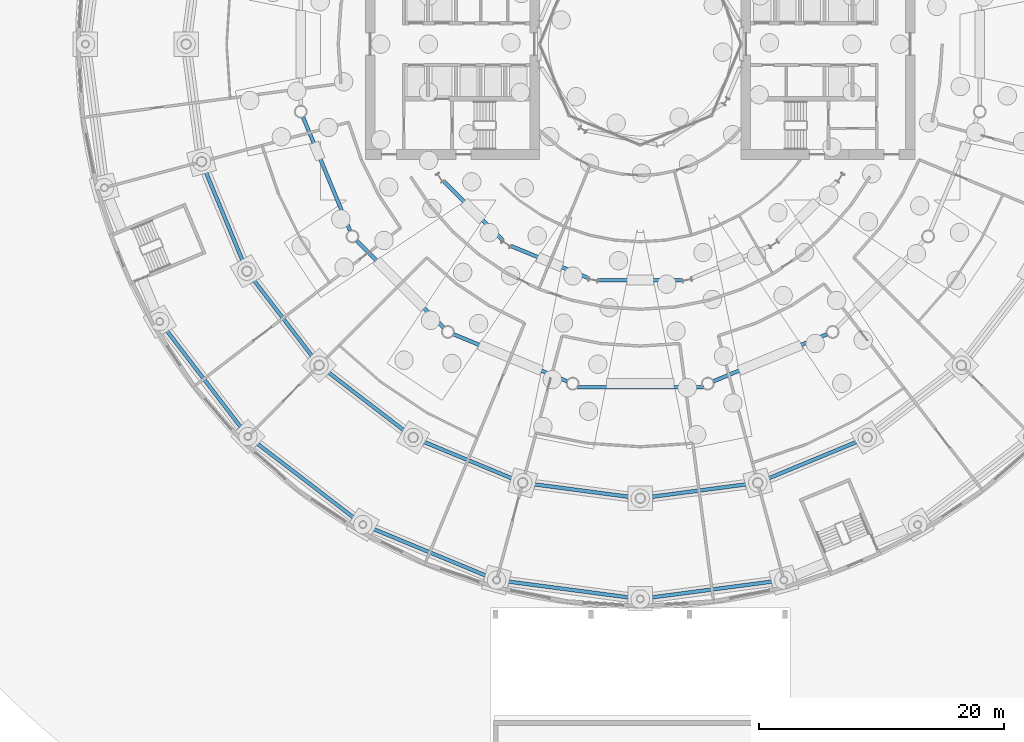
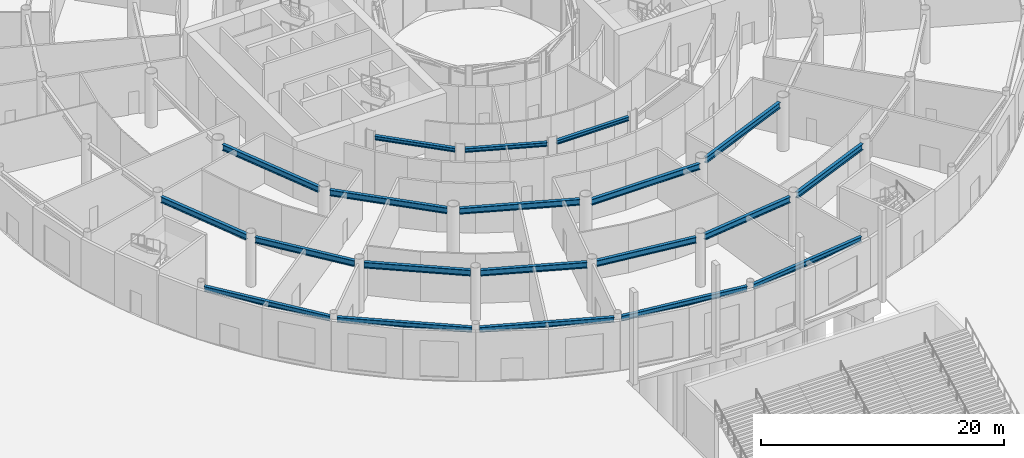
# One storey, part 11 of 41: 20 beams.
"""IFC4 building model written with IfcOpenShell, lengths in metres."""

from ifc_helpers import new_model, si_unit, direction, frame, origin, origin_2d, place, context, subcontext, project, spatial, i_section, extrude, material, material_profile, profile_set, type_object, element, save


model = new_model("IFC4")

# Units and contexts
model_context = context("Model", 3, precision=1e-05, world=origin(), true_north=direction((0.0, 1.0)))
body_context = subcontext(model_context, "Body", "Model", "MODEL_VIEW")
ifc_project = project(units=[si_unit("LENGTHUNIT", "METRE"), si_unit("AREAUNIT", "SQUARE_METRE"), si_unit("VOLUMEUNIT", "CUBIC_METRE"), si_unit("PLANEANGLEUNIT", "RADIAN"), si_unit("MASSUNIT", "GRAM", prefix="KILO")], contexts=[model_context])

# Site, building, storey
site_placement = place(None, origin())
site = spatial("IfcSite", under=ifc_project, at=site_placement, CompositionType="ELEMENT")
building_placement = place(site_placement, origin())
building = spatial("IfcBuilding", under=site, at=building_placement, Name="Maasbend Ring Residences", CompositionType="ELEMENT")
storey_placement = place(building_placement, origin())
storey = spatial("IfcBuildingStorey", under=building, at=storey_placement, Name="L00", CompositionType="ELEMENT", Elevation=0.0)

# Beams
ifc_material_1 = material(Name="Steel S355J2", Category="steel")
ifc_material_profile_1 = material_profile(ifc_material_1, i_section(OverallWidth=0.300048828125, OverallDepth=0.39990234375, WebThickness=0.013427734375, FlangeThickness=0.02392578125, FilletRadius=0.027099609375, at=origin_2d()), Name="HEB 400")
ifc_profile_set_1 = profile_set([ifc_material_profile_1], Name="Steel S355J2")
beam_type_1 = type_object("IfcBeamType", Name="Corridor ring beam HEB 400", PredefinedType="BEAM", material=ifc_profile_set_1)
for number, where, z_axis, x_axis, name in (
    (1, (-16.00341796875, -11.1826171875, 4.75), (0.707106781187, -0.707106781187, 0.0), (0.707106781187, 0.707106781187, 0.0), "Corridor ring beam"),
    (2, (-10.505859375, -16.45556640625, 4.75), (0.92387061516, -0.382704960046, 0.0), (0.382704960046, 0.92387061516, 0.0), "Corridor ring beam"),
):
    element("IfcBeam", number, at=place(storey_placement, frame(where, z_axis=z_axis, x_axis=x_axis)), inside=storey, type_object=beam_type_1, Name=name, PredefinedType="BEAM", context=body_context, shape_type="SweptSolid", body=[
        extrude(i_section(OverallWidth=0.300048828125, OverallDepth=0.39990234375, WebThickness=0.013427734375, FlangeThickness=0.02392578125, FilletRadius=0.027099609375, at=origin_2d()), origin(), (0.0, 0.0, 1.0), 6.817626953125),
    ])
beam_1_placement = place(storey_placement, frame((-3.40869140625, -19.223388671875, 4.75), z_axis=(1.0, 0.0, 0.0), x_axis=(0.0, 1.0, 0.0)))
element("IfcBeam", 3, at=beam_1_placement, inside=storey, type_object=beam_type_1, Name="Corridor ring beam", PredefinedType="BEAM", context=body_context, shape_type="SweptSolid", body=[
    extrude(i_section(OverallWidth=0.300048828125, OverallDepth=0.39990234375, WebThickness=0.013427734375, FlangeThickness=0.02392578125, FilletRadius=0.027099609375, at=origin_2d()), origin(), (0.0, 0.0, 1.0), 6.8173828125),
])
ifc_material_2 = material(Name="Steel S355J2", Category="steel")
ifc_material_profile_2 = material_profile(ifc_material_2, i_section(OverallWidth=0.300048828125, OverallDepth=0.5, WebThickness=0.014404296875, FlangeThickness=0.028076171875, FilletRadius=0.027099609375, at=origin_2d()), Name="HEB 500")
ifc_profile_set_2 = profile_set([ifc_material_profile_2], Name="Steel S355J2")
beam_type_2 = type_object("IfcBeamType", Name="Podium ring beam HEB 500", PredefinedType="BEAM", material=ifc_profile_set_2)
for number, where, z_axis, x_axis, name in (
    (4, (-38.95849609375, -22.842041015625, 4.699951171875), (0.608750763691, -0.793361523963, 0.0), (0.793361523963, 0.608750763691, 0.0), "Podium ring beam"),
    (5, (-31.71923828125, -32.14697265625, 4.699951171875), (0.793361523963, -0.608750763691, 0.0), (0.608750763691, 0.793361523963, 0.0), "Podium ring beam"),
    (6, (-22.318115234375, -39.260986328125, 4.699951171875), (0.923872164384, -0.382701220114, 0.0), (0.382701220114, 0.923872164384, 0.0), "Podium ring beam"),
    (7, (-11.396240234375, -43.69970703125, 4.699951171875), (0.991445678747, -0.130519983501, 0.0), (0.130519983501, 0.991445678747, 0.0), "Podium ring beam"),
    (8, (0.302490234375, -45.16015625, 4.699951171875), (0.991445678747, 0.130519983501, 0.0), (-0.130519983501, 0.991445678747, 0.0), "Podium ring beam"),
):
    element("IfcBeam", number, at=place(storey_placement, frame(where, z_axis=z_axis, x_axis=x_axis)), inside=storey, type_object=beam_type_2, Name=name, PredefinedType="BEAM", context=body_context, shape_type="SweptSolid", body=[
        extrude(i_section(OverallWidth=0.300048828125, OverallDepth=0.5, WebThickness=0.014404296875, FlangeThickness=0.028076171875, FilletRadius=0.027099609375, at=origin_2d()), origin(), (0.0, 0.0, 1.0), 11.189453125),
    ])
ifc_material_3 = material(Name="Steel S460M", Category="steel")
ifc_material_profile_3 = material_profile(ifc_material_3, i_section(OverallWidth=0.300048828125, OverallDepth=0.60009765625, WebThickness=0.015380859375, FlangeThickness=0.030029296875, FilletRadius=0.027099609375, at=origin_2d()), Name="HEB 600")
ifc_profile_set_3 = profile_set([ifc_material_profile_3], Name="Steel S460M")
beam_type_3 = type_object("IfcBeamType", Name="Podium ring beam HEB 600", PredefinedType="BEAM", material=ifc_profile_set_3)
for number, where, z_axis, x_axis, name in (
    (9, (-35.583740234375, -9.951904296875, 4.64990234375), (0.382688167356, -0.923877571199, 0.0), (0.923877571199, 0.382688167356, 0.0), "Podium ring beam"),
    (10, (-31.79541015625, -18.822509765625, 4.64990234375), (0.608751326002, -0.793361092499, 0.0), (0.793361092499, 0.608751326002, 0.0), "Podium ring beam"),
    (11, (-25.840576171875, -26.410400390625, 4.64990234375), (0.793361092499, -0.608751326002, 0.0), (0.608751326002, 0.793361092499, 0.0), "Podium ring beam"),
    (12, (-18.12451171875, -32.198486328125, 4.64990234375), (0.923877571199, -0.382688167356, 0.0), (0.382688167356, 0.923877571199, 0.0), "Podium ring beam"),
    (13, (-9.17333984375, -35.79248046875, 4.64990234375), (0.991446120927, -0.13051662461, 0.0), (0.13051662461, 0.991446120927, 0.0), "Podium ring beam"),
    (14, (0.403076171875, -36.947021484375, 4.64990234375), (0.991446120927, 0.13051662461, 0.0), (-0.13051662461, 0.991446120927, 0.0), "Podium ring beam"),
    (15, (9.951904296875, -35.583740234375, 4.64990234375), (0.923877571199, 0.382688167356, 0.0), (-0.382688167356, 0.923877571199, 0.0), "Podium ring beam"),
):
    element("IfcBeam", number, at=place(storey_placement, frame(where, z_axis=z_axis, x_axis=x_axis)), inside=storey, type_object=beam_type_3, Name=name, PredefinedType="BEAM", context=body_context, shape_type="SweptSolid", body=[
        extrude(i_section(OverallWidth=0.300048828125, OverallDepth=0.60009765625, WebThickness=0.015380859375, FlangeThickness=0.030029296875, FilletRadius=0.027099609375, at=origin_2d()), origin(), (0.0, 0.0, 1.0), 8.845947265625),
    ])
ifc_material_4 = material(Name="Steel S460M", Category="steel")
ifc_material_profile_4 = material_profile(ifc_material_4, i_section(OverallWidth=0.300048828125, OverallDepth=0.60009765625, WebThickness=0.015380859375, FlangeThickness=0.030029296875, FilletRadius=0.027099609375, at=origin_2d()), Name="HEB 600")
ifc_profile_set_4 = profile_set([ifc_material_profile_4], Name="Steel S460M")
beam_type_4 = type_object("IfcBeamType", Name="Spandrel ring beam HEB 600", PredefinedType="SPANDREL", material=ifc_profile_set_4)
beam_2_placement = place(storey_placement, frame((-27.463623046875, -5.970703125, 4.64990234375), z_axis=(0.382667003395, -0.923886337442, 0.0), x_axis=(0.923886337442, 0.382667003395, 0.0)))
element("IfcBeam", 16, at=beam_2_placement, inside=storey, type_object=beam_type_4, Name="Spandrel ring beam", PredefinedType="SPANDREL", context=body_context, shape_type="SweptSolid", body=[
    extrude(i_section(OverallWidth=0.300048828125, OverallDepth=0.60009765625, WebThickness=0.015380859375, FlangeThickness=0.030029296875, FilletRadius=0.027099609375, at=origin_2d()), origin(), (0.0, 0.0, 1.0), 9.9873046875),
])
beam_3_placement = place(storey_placement, frame((-23.088134765625, -16.0263671875, 4.64990234375), z_axis=(0.707106781187, -0.707106781187, 0.0), x_axis=(0.707106781187, 0.707106781187, 0.0)))
element("IfcBeam", 17, at=beam_3_placement, inside=storey, type_object=beam_type_4, Name="Spandrel ring beam", PredefinedType="SPANDREL", context=body_context, shape_type="SweptSolid", body=[
    extrude(i_section(OverallWidth=0.300048828125, OverallDepth=0.60009765625, WebThickness=0.015380859375, FlangeThickness=0.030029296875, FilletRadius=0.027099609375, at=origin_2d()), origin(), (0.0, 0.0, 1.0), 9.98681640625),
])
beam_4_placement = place(storey_placement, frame((-15.19775390625, -23.641845703125, 4.64990234375), z_axis=(0.923886337442, -0.382667003395, 0.0), x_axis=(0.382667003395, 0.923886337442, 0.0)))
element("IfcBeam", 18, at=beam_4_placement, inside=storey, type_object=beam_type_4, Name="Spandrel ring beam", PredefinedType="SPANDREL", context=body_context, shape_type="SweptSolid", body=[
    extrude(i_section(OverallWidth=0.300048828125, OverallDepth=0.60009765625, WebThickness=0.015380859375, FlangeThickness=0.030029296875, FilletRadius=0.027099609375, at=origin_2d()), origin(), (0.0, 0.0, 1.0), 9.9873046875),
])
beam_5_placement = place(storey_placement, frame((-5.1435546875, -27.9580078125, 4.64990234375), z_axis=(1.0, 0.0, 0.0), x_axis=(0.0, 1.0, 0.0)))
element("IfcBeam", 19, at=beam_5_placement, inside=storey, type_object=beam_type_4, Name="Spandrel ring beam", PredefinedType="SPANDREL", context=body_context, shape_type="SweptSolid", body=[
    extrude(i_section(OverallWidth=0.300048828125, OverallDepth=0.60009765625, WebThickness=0.015380859375, FlangeThickness=0.030029296875, FilletRadius=0.027099609375, at=origin_2d()), origin(), (0.0, 0.0, 1.0), 10.287109375),
])
beam_6_placement = place(storey_placement, frame((5.970703125, -27.463623046875, 4.64990234375), z_axis=(0.923886337442, 0.382667003395, 0.0), x_axis=(-0.382667003395, 0.923886337442, 0.0)))
element("IfcBeam", 20, at=beam_6_placement, inside=storey, type_object=beam_type_4, Name="Spandrel ring beam", PredefinedType="SPANDREL", context=body_context, shape_type="SweptSolid", body=[
    extrude(i_section(OverallWidth=0.300048828125, OverallDepth=0.60009765625, WebThickness=0.015380859375, FlangeThickness=0.030029296875, FilletRadius=0.027099609375, at=origin_2d()), origin(), (0.0, 0.0, 1.0), 9.9873046875),
])

save(model, "model.ifc")
